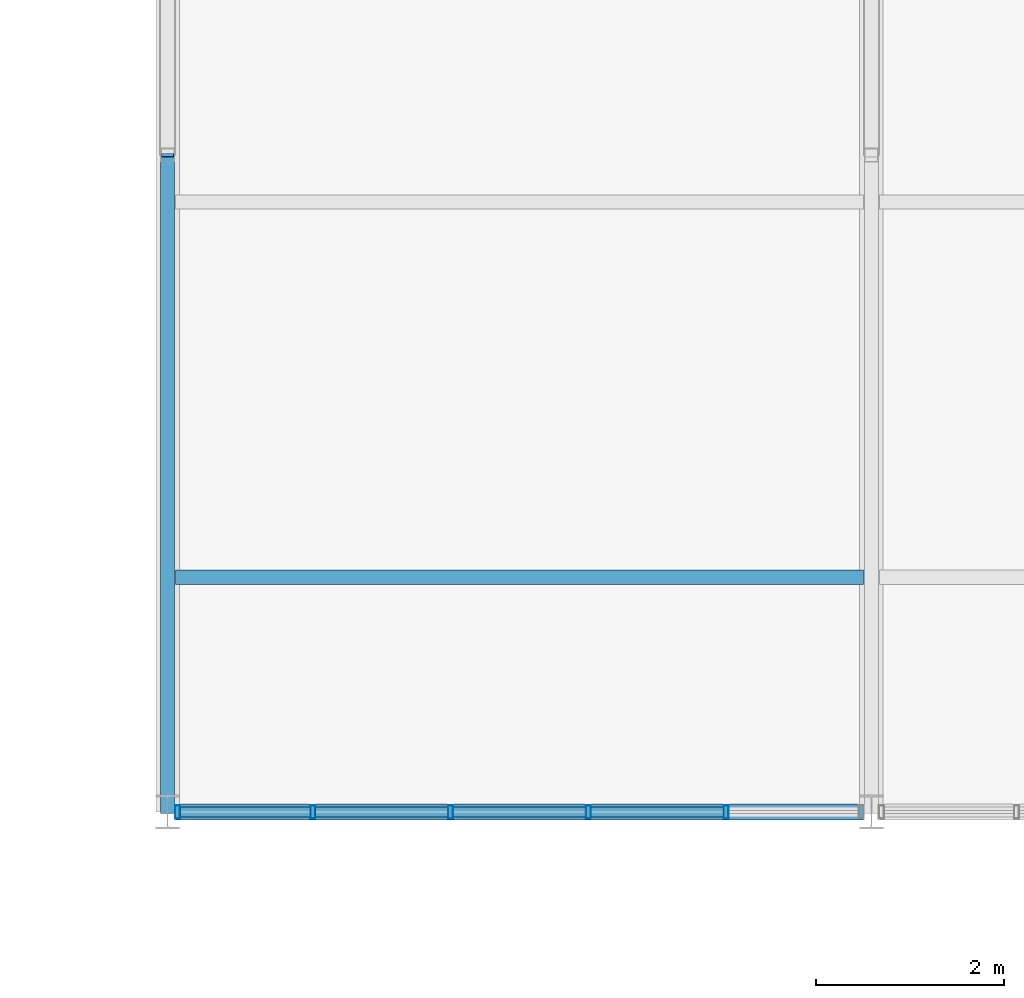
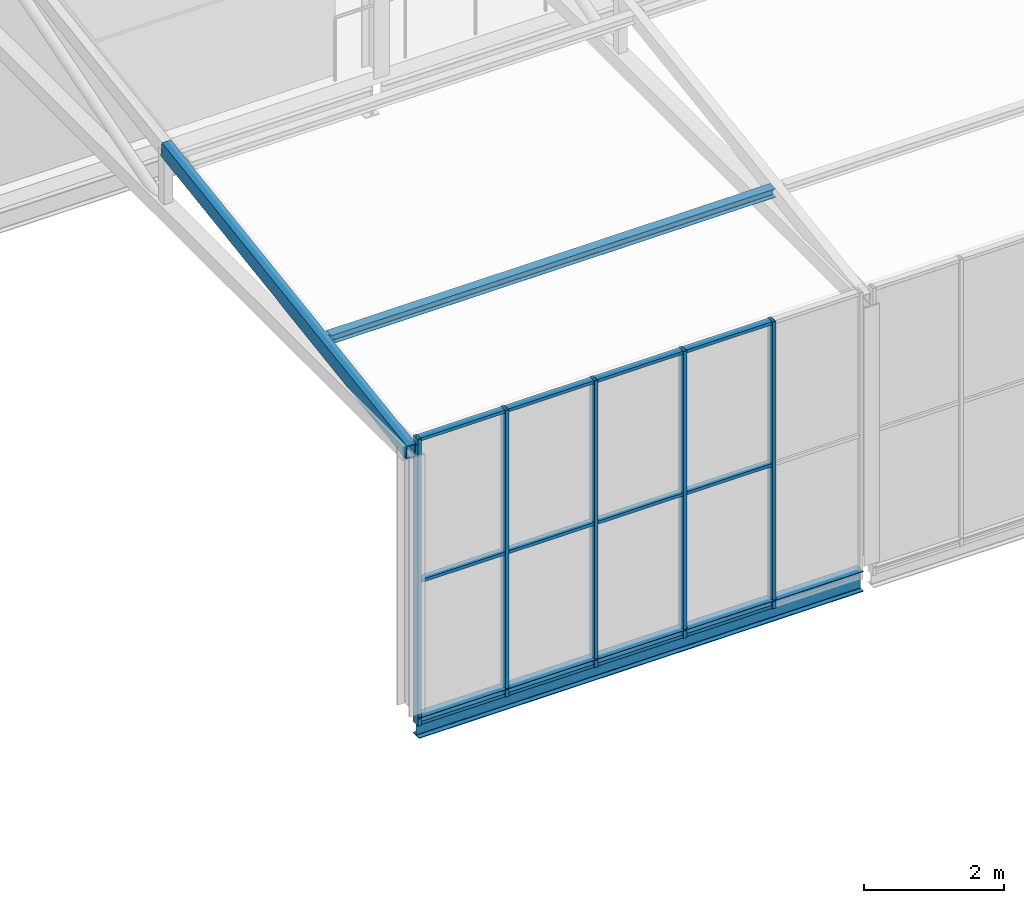
# One storey, part 31 of 104: 18 members, 2 beams, 1 element without a shape of its own.
"""IFC4 building model written with IfcOpenShell, lengths in metres."""

from ifc_helpers import new_model, si_unit, direction, frame, origin, origin_2d, place, context, subcontext, project, spatial, hollow_rectangle, i_section, extrude, material, layer, layer_set, material_profile, profile_set, type_object, element, aggregate, save


model = new_model("IFC4")

# Units and contexts
model_context = context("Model", 3, precision=1e-05, world=origin(), true_north=direction((0.0, 1.0)))
body_context = subcontext(model_context, "Body", "Model", "MODEL_VIEW")
ifc_project = project(units=[si_unit("LENGTHUNIT", "METRE"), si_unit("AREAUNIT", "SQUARE_METRE"), si_unit("VOLUMEUNIT", "CUBIC_METRE"), si_unit("PLANEANGLEUNIT", "RADIAN"), si_unit("MASSUNIT", "GRAM", prefix="KILO")], contexts=[model_context])

# Site, building, storey
site_placement = place(None, origin())
site = spatial("IfcSite", under=ifc_project, at=site_placement, CompositionType="ELEMENT")
building_placement = place(site_placement, origin())
building = spatial("IfcBuilding", under=site, at=building_placement, Name="Solvenia Promenade Tram Depot", CompositionType="ELEMENT")
storey_placement = place(building_placement, frame((0.0, 0.0, 9.0)))
storey = spatial("IfcBuildingStorey", under=building, at=storey_placement, Name="L02", CompositionType="ELEMENT", Elevation=9.0)

# Curtain wall, members
ifc_material_1 = material(Name="Anodized aluminium AW-6063 T6", Category="aluminium")
ifc_layer = layer(ifc_material_1, 0.080078125, Name="Anodized aluminium AW-6063 T6", Category="aluminium")
ifc_layer_set = layer_set([ifc_layer], Name="Anodized aluminium AW-6063 T6")
curtain_wall_type = type_object("IfcCurtainWallType", Name="CW-Clerest-1500", PredefinedType="NOTDEFINED", material=ifc_layer_set)
curtain_wall_placement = place(storey_placement, origin())
curtain_wall = element("IfcCurtainWall", 1, at=curtain_wall_placement, inside=storey, type_object=curtain_wall_type, Name="Curtain Wall CW-V2S-L2-01", PredefinedType="NOTDEFINED")
ifc_material_profile_1 = material_profile(ifc_material_1, hollow_rectangle(XDim=0.139892578125, YDim=0.054931640625, WallThickness=0.00390625, at=origin_2d()), Name="ALU-M4", Category="aluminium")
ifc_profile_set_1 = profile_set([ifc_material_profile_1], Name="Anodized aluminium AW-6063 T6")
member_type_1 = type_object("IfcMemberType", Name="CWM-Mullion-4", PredefinedType="MULLION", material=ifc_profile_set_1)
member_1_placement = place(storey_placement, frame((105.107421875, 24.0, -0.300048828125), z_axis=(0.0, 0.0, 1.0), x_axis=(0.0, 1.0, 0.0)))
member_1 = element("IfcMember", 2, at=member_1_placement, type_object=member_type_1, Name="CW-4 mullion 1", PredefinedType="MULLION", context=body_context, shape_type="SweptSolid", body=[
    extrude(hollow_rectangle(XDim=0.139892578125, YDim=0.054931640625, WallThickness=0.00390625, at=origin_2d()), origin(), (0.0, 0.0, 1.0), 5.0),
])
member_2_placement = place(storey_placement, frame((106.548095703125, 24.0, -0.300048828125), z_axis=(0.0, 0.0, 1.0), x_axis=(0.0, 1.0, 0.0)))
member_2 = element("IfcMember", 3, at=member_2_placement, type_object=member_type_1, Name="CW-4 mullion 2", PredefinedType="MULLION", context=body_context, shape_type="SweptSolid", body=[
    extrude(hollow_rectangle(XDim=0.139892578125, YDim=0.054931640625, WallThickness=0.00390625, at=origin_2d()), origin(), (0.0, 0.0, 1.0), 5.0),
])
member_3_placement = place(storey_placement, frame((108.01611328125, 24.0, -0.300048828125), z_axis=(0.0, 0.0, 1.0), x_axis=(0.0, 1.0, 0.0)))
member_3 = element("IfcMember", 4, at=member_3_placement, type_object=member_type_1, Name="CW-4 mullion 3", PredefinedType="MULLION", context=body_context, shape_type="SweptSolid", body=[
    extrude(hollow_rectangle(XDim=0.139892578125, YDim=0.054931640625, WallThickness=0.00390625, at=origin_2d()), origin(), (0.0, 0.0, 1.0), 5.0),
])
member_4_placement = place(storey_placement, frame((109.48388671875, 24.0, -0.300048828125), z_axis=(0.0, 0.0, 1.0), x_axis=(0.0, 1.0, 0.0)))
member_4 = element("IfcMember", 5, at=member_4_placement, type_object=member_type_1, Name="CW-4 mullion 4", PredefinedType="MULLION", context=body_context, shape_type="SweptSolid", body=[
    extrude(hollow_rectangle(XDim=0.139892578125, YDim=0.054931640625, WallThickness=0.00390625, at=origin_2d()), origin(), (0.0, 0.0, 1.0), 5.0),
])
member_5_placement = place(storey_placement, frame((110.951904296875, 24.0, -0.300048828125), z_axis=(0.0, 0.0, 1.0), x_axis=(0.0, 1.0, 0.0)))
member_5 = element("IfcMember", 6, at=member_5_placement, type_object=member_type_1, Name="CW-4 mullion 5", PredefinedType="MULLION", context=body_context, shape_type="SweptSolid", body=[
    extrude(hollow_rectangle(XDim=0.139892578125, YDim=0.054931640625, WallThickness=0.00390625, at=origin_2d()), origin(), (0.0, 0.0, 1.0), 5.0),
])
ifc_material_profile_2 = material_profile(ifc_material_1, hollow_rectangle(XDim=0.110107421875, YDim=0.054931640625, WallThickness=0.00390625, at=origin_2d()), Name="ALU-T4", Category="aluminium")
ifc_profile_set_2 = profile_set([ifc_material_profile_2], Name="Anodized aluminium AW-6063 T6")
member_type_2 = type_object("IfcMemberType", Name="CWT-Transom-4", PredefinedType="USERDEFINED", material=ifc_profile_set_2)
member_6_placement = place(storey_placement, frame((105.135009765625, 24.0, -0.2724609375), z_axis=(1.0, 0.0, 0.0), x_axis=(0.0, 1.0, 0.0)))
member_6 = element("IfcMember", 7, at=member_6_placement, type_object=member_type_2, Name="CW-4 transom 1.1", ObjectType="TRANSOM", PredefinedType="USERDEFINED", context=body_context, shape_type="SweptSolid", body=[
    extrude(hollow_rectangle(XDim=0.110107421875, YDim=0.054931640625, WallThickness=0.00390625, at=origin_2d()), origin(), (0.0, 0.0, 1.0), 1.385498046875),
])
member_7_placement = place(storey_placement, frame((105.135009765625, 24.0, 2.199951171875), z_axis=(1.0, 0.0, 0.0), x_axis=(0.0, 1.0, 0.0)))
member_7 = element("IfcMember", 8, at=member_7_placement, type_object=member_type_2, Name="CW-4 transom 1.2", ObjectType="TRANSOM", PredefinedType="USERDEFINED", context=body_context, shape_type="SweptSolid", body=[
    extrude(hollow_rectangle(XDim=0.110107421875, YDim=0.054931640625, WallThickness=0.00390625, at=origin_2d()), origin(), (0.0, 0.0, 1.0), 1.385498046875),
])
member_8_placement = place(storey_placement, frame((105.135009765625, 24.0, 4.672607421875), z_axis=(1.0, 0.0, 0.0), x_axis=(0.0, 1.0, 0.0)))
member_8 = element("IfcMember", 9, at=member_8_placement, type_object=member_type_2, Name="CW-4 transom 1.3", ObjectType="TRANSOM", PredefinedType="USERDEFINED", context=body_context, shape_type="SweptSolid", body=[
    extrude(hollow_rectangle(XDim=0.110107421875, YDim=0.054931640625, WallThickness=0.00390625, at=origin_2d()), origin(), (0.0, 0.0, 1.0), 1.385498046875),
])
member_9_placement = place(storey_placement, frame((106.575439453125, 24.0, -0.2724609375), z_axis=(1.0, 0.0, 0.0), x_axis=(0.0, 1.0, 0.0)))
member_9 = element("IfcMember", 10, at=member_9_placement, type_object=member_type_2, Name="CW-4 transom 2.1", ObjectType="TRANSOM", PredefinedType="USERDEFINED", context=body_context, shape_type="SweptSolid", body=[
    extrude(hollow_rectangle(XDim=0.110107421875, YDim=0.054931640625, WallThickness=0.00390625, at=origin_2d()), origin(), (0.0, 0.0, 1.0), 1.4130859375),
])
member_10_placement = place(storey_placement, frame((106.575439453125, 24.0, 2.199951171875), z_axis=(1.0, 0.0, 0.0), x_axis=(0.0, 1.0, 0.0)))
member_10 = element("IfcMember", 11, at=member_10_placement, type_object=member_type_2, Name="CW-4 transom 2.2", ObjectType="TRANSOM", PredefinedType="USERDEFINED", context=body_context, shape_type="SweptSolid", body=[
    extrude(hollow_rectangle(XDim=0.110107421875, YDim=0.054931640625, WallThickness=0.00390625, at=origin_2d()), origin(), (0.0, 0.0, 1.0), 1.4130859375),
])
member_11_placement = place(storey_placement, frame((106.575439453125, 24.0, 4.672607421875), z_axis=(1.0, 0.0, 0.0), x_axis=(0.0, 1.0, 0.0)))
member_11 = element("IfcMember", 12, at=member_11_placement, type_object=member_type_2, Name="CW-4 transom 2.3", ObjectType="TRANSOM", PredefinedType="USERDEFINED", context=body_context, shape_type="SweptSolid", body=[
    extrude(hollow_rectangle(XDim=0.110107421875, YDim=0.054931640625, WallThickness=0.00390625, at=origin_2d()), origin(), (0.0, 0.0, 1.0), 1.4130859375),
])
member_12_placement = place(storey_placement, frame((108.04345703125, 24.0, -0.2724609375), z_axis=(1.0, 0.0, 0.0), x_axis=(0.0, 1.0, 0.0)))
member_12 = element("IfcMember", 13, at=member_12_placement, type_object=member_type_2, Name="CW-4 transom 3.1", ObjectType="TRANSOM", PredefinedType="USERDEFINED", context=body_context, shape_type="SweptSolid", body=[
    extrude(hollow_rectangle(XDim=0.110107421875, YDim=0.054931640625, WallThickness=0.00390625, at=origin_2d()), origin(), (0.0, 0.0, 1.0), 1.4130859375),
])
member_13_placement = place(storey_placement, frame((108.04345703125, 24.0, 2.199951171875), z_axis=(1.0, 0.0, 0.0), x_axis=(0.0, 1.0, 0.0)))
member_13 = element("IfcMember", 14, at=member_13_placement, type_object=member_type_2, Name="CW-4 transom 3.2", ObjectType="TRANSOM", PredefinedType="USERDEFINED", context=body_context, shape_type="SweptSolid", body=[
    extrude(hollow_rectangle(XDim=0.110107421875, YDim=0.054931640625, WallThickness=0.00390625, at=origin_2d()), origin(), (0.0, 0.0, 1.0), 1.4130859375),
])
member_14_placement = place(storey_placement, frame((108.04345703125, 24.0, 4.672607421875), z_axis=(1.0, 0.0, 0.0), x_axis=(0.0, 1.0, 0.0)))
member_14 = element("IfcMember", 15, at=member_14_placement, type_object=member_type_2, Name="CW-4 transom 3.3", ObjectType="TRANSOM", PredefinedType="USERDEFINED", context=body_context, shape_type="SweptSolid", body=[
    extrude(hollow_rectangle(XDim=0.110107421875, YDim=0.054931640625, WallThickness=0.00390625, at=origin_2d()), origin(), (0.0, 0.0, 1.0), 1.4130859375),
])
member_15_placement = place(storey_placement, frame((109.511474609375, 24.0, -0.2724609375), z_axis=(1.0, 0.0, 0.0), x_axis=(0.0, 1.0, 0.0)))
member_15 = element("IfcMember", 16, at=member_15_placement, type_object=member_type_2, Name="CW-4 transom 4.1", ObjectType="TRANSOM", PredefinedType="USERDEFINED", context=body_context, shape_type="SweptSolid", body=[
    extrude(hollow_rectangle(XDim=0.110107421875, YDim=0.054931640625, WallThickness=0.00390625, at=origin_2d()), origin(), (0.0, 0.0, 1.0), 1.4130859375),
])
member_16_placement = place(storey_placement, frame((109.511474609375, 24.0, 2.199951171875), z_axis=(1.0, 0.0, 0.0), x_axis=(0.0, 1.0, 0.0)))
member_16 = element("IfcMember", 17, at=member_16_placement, type_object=member_type_2, Name="CW-4 transom 4.2", ObjectType="TRANSOM", PredefinedType="USERDEFINED", context=body_context, shape_type="SweptSolid", body=[
    extrude(hollow_rectangle(XDim=0.110107421875, YDim=0.054931640625, WallThickness=0.00390625, at=origin_2d()), origin(), (0.0, 0.0, 1.0), 1.4130859375),
])
member_17_placement = place(storey_placement, frame((109.511474609375, 24.0, 4.672607421875), z_axis=(1.0, 0.0, 0.0), x_axis=(0.0, 1.0, 0.0)))
member_17 = element("IfcMember", 18, at=member_17_placement, type_object=member_type_2, Name="CW-4 transom 4.3", ObjectType="TRANSOM", PredefinedType="USERDEFINED", context=body_context, shape_type="SweptSolid", body=[
    extrude(hollow_rectangle(XDim=0.110107421875, YDim=0.054931640625, WallThickness=0.00390625, at=origin_2d()), origin(), (0.0, 0.0, 1.0), 1.4130859375),
])
aggregate(curtain_wall, [member_1, member_2, member_3, member_4, member_5, member_6, member_7, member_8, member_9, member_10, member_11, member_12, member_13, member_14, member_15, member_16, member_17])

# Member
ifc_material_2 = material(Name="Structural steel ASTM A500 Gr. C", Category="steel")
ifc_material_profile_3 = material_profile(ifc_material_2, hollow_rectangle(XDim=0.14990234375, YDim=0.25, WallThickness=0.010009765625, at=origin_2d()), Name="HSS250x150x10", Category="steel")
ifc_profile_set_3 = profile_set([ifc_material_profile_3], Name="Structural steel ASTM A500 Gr. C")
member_type_3 = type_object("IfcMemberType", Name="Chord-HSS250x150x10", PredefinedType="CHORD", material=ifc_profile_set_3)
member_18_placement = place(storey_placement, frame((105.0, 24.0, 4.47998046875), z_axis=(0.0, 0.988935340875, 0.148347199397), x_axis=(-1.0, 0.0, 0.0)))
element("IfcMember", 19, at=member_18_placement, inside=storey, type_object=member_type_3, Name="Crane Hall Clerestory Rafter 01S", PredefinedType="CHORD", context=body_context, shape_type="SweptSolid", body=[
    extrude(hollow_rectangle(XDim=0.14990234375, YDim=0.25, WallThickness=0.010009765625, at=origin_2d()), origin(), (0.0, 0.0, 1.0), 7.078369140625),
])

# Beams
ifc_material_3 = material(Name="Structural steel ASTM A992 Gr. 50", Category="steel")
ifc_material_profile_4 = material_profile(ifc_material_3, i_section(OverallWidth=0.152099609375, OverallDepth=0.152099609375, WebThickness=0.005859375, FlangeThickness=0.006591796875, FilletRadius=0.008056640625, at=origin_2d()), Name="W150x22", Category="steel")
ifc_profile_set_4 = profile_set([ifc_material_profile_4], Name="Structural steel ASTM A992 Gr. 50")
beam_type_1 = type_object("IfcBeamType", Name="Purlin-W150x22", PredefinedType="USERDEFINED", material=ifc_profile_set_4)
beam_1_placement = place(storey_placement, frame((105.0849609375, 26.5, 4.919921875), z_axis=(1.0, 0.0, 0.0), x_axis=(0.0, 1.0, 0.0)))
element("IfcBeam", 20, at=beam_1_placement, inside=storey, type_object=beam_type_1, Name="Clerestory Purlin 0201", ObjectType="PURLIN", PredefinedType="USERDEFINED", context=body_context, shape_type="SweptSolid", body=[
    extrude(i_section(OverallWidth=0.152099609375, OverallDepth=0.152099609375, WebThickness=0.005859375, FlangeThickness=0.006591796875, FilletRadius=0.008056640625, at=origin_2d()), origin(), (0.0, 0.0, 1.0), 7.330078125),
])
ifc_material_profile_5 = material_profile(ifc_material_3, i_section(OverallWidth=0.172119140625, OverallDepth=0.35791015625, WebThickness=0.0078125, FlangeThickness=0.01318359375, FilletRadius=0.010986328125, at=origin_2d()), Name="W360x57", Category="steel")
ifc_profile_set_5 = profile_set([ifc_material_profile_5], Name="Structural steel ASTM A992 Gr. 50")
beam_type_2 = type_object("IfcBeamType", Name="Spandrel-W360x57", PredefinedType="SPANDREL", material=ifc_profile_set_5)
beam_2_placement = place(storey_placement, frame((105.0849609375, 24.0, -0.3291015625), z_axis=(1.0, 0.0, 0.0), x_axis=(0.0, 1.0, 0.0)))
element("IfcBeam", 21, at=beam_2_placement, inside=storey, type_object=beam_type_2, Name="Crane Hall L02 Facade Girt BM-L02-0989", PredefinedType="SPANDREL", context=body_context, shape_type="SweptSolid", body=[
    extrude(i_section(OverallWidth=0.172119140625, OverallDepth=0.35791015625, WebThickness=0.0078125, FlangeThickness=0.01318359375, FilletRadius=0.010986328125, at=origin_2d()), origin(), (0.0, 0.0, 1.0), 7.330078125),
])

save(model, "model.ifc")
